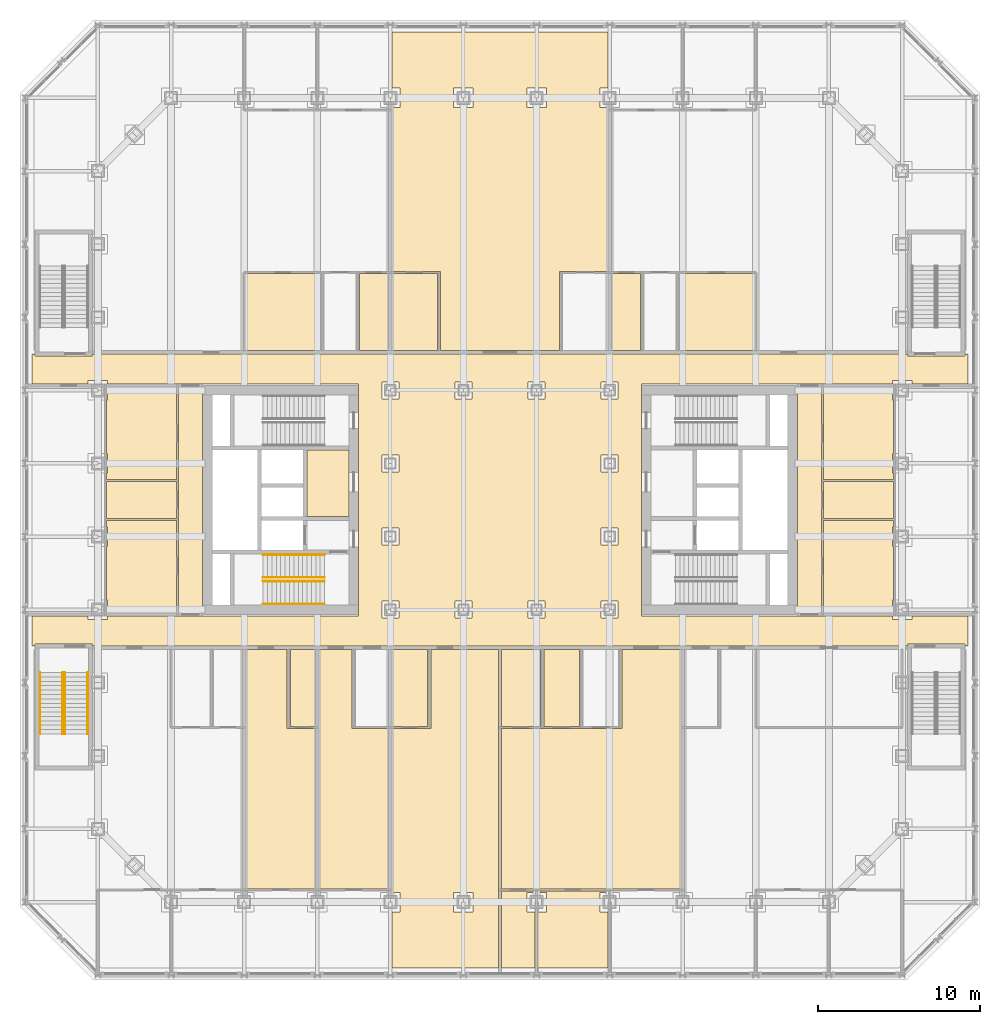
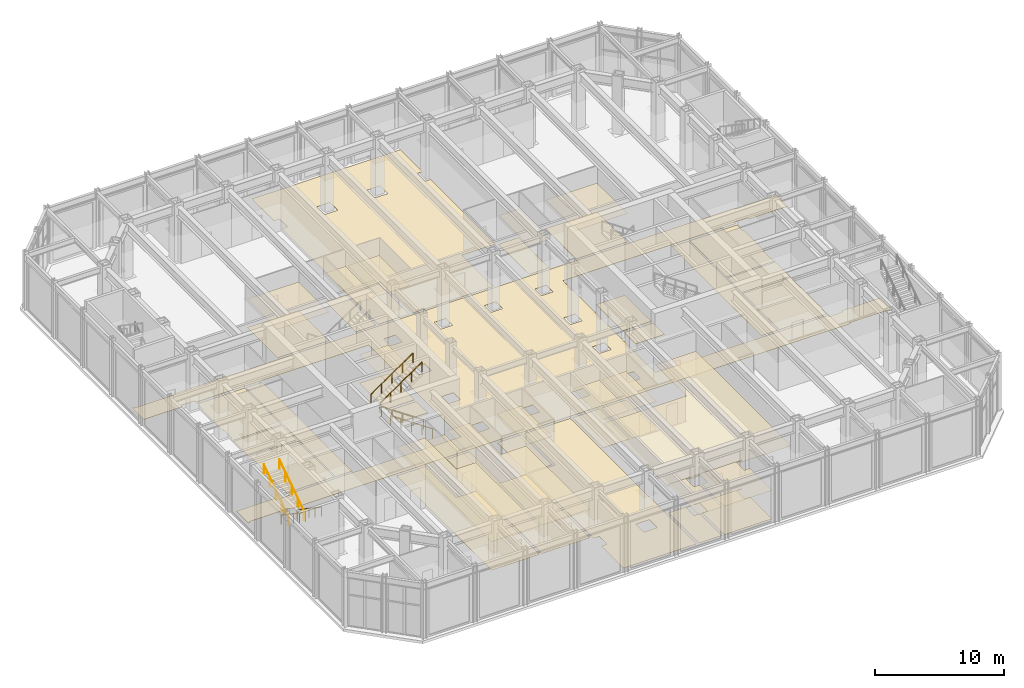
# One storey, part 17 of 19: 8 railings, 5 coverings.
"""IFC4 building model written with IfcOpenShell, lengths in metres."""

from ifc_helpers import new_model, si_unit, direction, frame, origin, origin_2d, place, context, subcontext, project, spatial, line, indexed_curve, circle, outline, extrude, material, layer, layer_set, type_object, element, save


model = new_model("IFC4")

# Units and contexts
model_context = context("Model", 3, precision=1e-05, world=origin(), true_north=direction((0.0, 1.0)))
body_context = subcontext(model_context, "Body", "Model", "MODEL_VIEW")
ifc_project = project(units=[si_unit("LENGTHUNIT", "METRE"), si_unit("AREAUNIT", "SQUARE_METRE"), si_unit("VOLUMEUNIT", "CUBIC_METRE"), si_unit("PLANEANGLEUNIT", "RADIAN"), si_unit("MASSUNIT", "GRAM", prefix="KILO")], contexts=[model_context])

# Site, building, storey
site_placement = place(None, origin())
site = spatial("IfcSite", under=ifc_project, at=site_placement, CompositionType="ELEMENT")
building_placement = place(site_placement, origin())
building = spatial("IfcBuilding", under=site, at=building_placement, Name="Msasa Ring Tower", CompositionType="ELEMENT")
storey_placement = place(building_placement, frame((0.0, 0.0, 16.0)))
storey = spatial("IfcBuildingStorey", under=building, at=storey_placement, Name="L03", CompositionType="ELEMENT", Elevation=16.0)

# Coverings
ifc_material_1 = material(Name="Gypsum plasterboard on a steel suspension grid", Category="steel")
ifc_layer_1 = layer(ifc_material_1, 0.014892578125)
ifc_layer_set_1 = layer_set([ifc_layer_1], Name="C1 SUSPENDED PLASTERBOARD CEILING 15")
covering_type_1 = type_object("IfcCoveringType", Name="C1 SUSPENDED PLASTERBOARD CEILING 15", PredefinedType="CEILING", material=ifc_layer_set_1)
covering_1_placement = place(storey_placement, frame((0.0, 0.0, 2.699951171875)))
element("IfcCovering", 1, at=covering_1_placement, inside=storey, type_object=covering_type_1, Name="Suspended Plasterboard Ceiling 15 L03", PredefinedType="CEILING", context=body_context, shape_type="SweptSolid", body=[
    extrude(outline(indexed_curve([(-15.6494140625, -9.200439453125), (-13.1005859375, -9.200439453125), (-13.1005859375, -14.060546875), (-11.3505859375, -14.060546875), (-11.3505859375, -23.939453125), (-15.6494140625, -23.939453125)], segments=[line(1, 2, 3, 4, 5, 6, 1)], self_intersect=False)), origin(), (0.0, 0.0, 1.0), 0.01513671875),
    extrude(outline(indexed_curve([(-15.6494140625, 13.939453125), (-11.050537109375, 13.939453125), (-11.050537109375, 9.200439453125), (-15.6494140625, 9.200439453125)], segments=[line(1, 2, 3, 4, 1)], self_intersect=False)), origin(), (0.0, 0.0, 1.0), 0.01513671875),
    extrude(outline(indexed_curve([(-11.87451171875, -1.0244140625), (-11.87451171875, 3.074462890625), (-9.300537109375, 3.074462890625), (-9.300537109375, -1.0244140625)], segments=[line(1, 2, 3, 4, 1)], self_intersect=False)), origin(), (0.0, 0.0, 1.0), 0.01513671875),
    extrude(outline(indexed_curve([(-9.1005859375, -9.200439453125), (-9.1005859375, -14.060546875), (-6.8505859375, -14.060546875), (-6.8505859375, -23.939453125), (-11.1494140625, -23.939453125), (-11.1494140625, -9.200439453125)], segments=[line(1, 2, 3, 4, 5, 6, 1)], self_intersect=False)), origin(), (0.0, 0.0, 1.0), 0.01513671875),
    extrude(outline(indexed_curve([(-8.6494140625, 13.939453125), (-6.8505859375, 13.939453125), (-6.8505859375, 9.200439453125), (-8.6494140625, 9.200439453125)], segments=[line(1, 2, 3, 4, 1)], self_intersect=False)), origin(), (0.0, 0.0, 1.0), 0.01513671875),
    extrude(outline(indexed_curve([(-4.450439453125, -9.200439453125), (-4.450439453125, -13.939453125), (-6.6494140625, -13.939453125), (-6.6494140625, -9.200439453125)], segments=[line(1, 2, 3, 4, 1)], self_intersect=False)), origin(), (0.0, 0.0, 1.0), 0.01513671875),
    extrude(outline(indexed_curve([(-6.6494140625, 9.200439453125), (-6.6494140625, 13.939453125), (-3.8505859375, 13.939453125), (-3.8505859375, 9.200439453125)], segments=[line(1, 2, 3, 4, 1)], self_intersect=False)), origin(), (0.0, 0.0, 1.0), 0.01513671875),
    extrude(outline(indexed_curve([(2.1494140625, -24.060546875), (2.1494140625, -24.1494140625), (1.6494140625, -24.1494140625), (1.6494140625, -25.3505859375), (2.1494140625, -25.3505859375), (2.1494140625, -28.799560546875), (0.1005859375, -28.799560546875), (0.1005859375, -24.060546875)], segments=[line(1, 2, 3, 4, 5, 6, 7, 8, 1)], self_intersect=False)), origin(), (0.0, 0.0, 1.0), 0.01513671875),
    extrude(outline(indexed_curve([(0.1005859375, -9.200439453125), (2.49951171875, -9.200439453125), (2.49951171875, -13.939453125), (0.1005859375, -13.939453125)], segments=[line(1, 2, 3, 4, 1)], self_intersect=False)), origin(), (0.0, 0.0, 1.0), 0.01513671875),
    extrude(outline(indexed_curve([(6.6494140625, -24.060546875), (6.6494140625, -24.1494140625), (6.1494140625, -24.1494140625), (6.1494140625, -25.3505859375), (6.6494140625, -25.3505859375), (6.6494140625, -28.799560546875), (2.3505859375, -28.799560546875), (2.3505859375, -25.3505859375), (2.8505859375, -25.3505859375), (2.8505859375, -24.1494140625), (2.3505859375, -24.1494140625), (2.3505859375, -24.060546875)], segments=[line(1, 2, 3, 4, 5, 6, 7, 8, 9, 10, 11, 12, 1)], self_intersect=False)), origin(), (0.0, 0.0, 1.0), 0.01513671875),
    extrude(outline(indexed_curve([(2.700439453125, -9.200439453125), (4.8994140625, -9.200439453125), (4.8994140625, -13.939453125), (2.700439453125, -13.939453125)], segments=[line(1, 2, 3, 4, 1)], self_intersect=False)), origin(), (0.0, 0.0, 1.0), 0.01513671875),
    extrude(outline(indexed_curve([(8.6494140625, 13.939453125), (8.6494140625, 9.200439453125), (6.8505859375, 9.200439453125), (6.8505859375, 13.939453125)], segments=[line(1, 2, 3, 4, 1)], self_intersect=False)), origin(), (0.0, 0.0, 1.0), 0.01513671875),
    extrude(outline(indexed_curve([(11.050537109375, 13.939453125), (15.6494140625, 13.939453125), (15.6494140625, 9.200439453125), (11.050537109375, 9.200439453125)], segments=[line(1, 2, 3, 4, 1)], self_intersect=False)), origin(), (0.0, 0.0, 1.0), 0.01513671875),
])
ifc_material_2 = material(Name="Perforated aluminium ceiling pans on a steel grid", Category="steel")
ifc_layer_2 = layer(ifc_material_2, 0.02490234375)
ifc_layer_set_2 = layer_set([ifc_layer_2], Name="C4 PERFORATED METAL PAN CEILING 25")
covering_type_2 = type_object("IfcCoveringType", Name="C4 PERFORATED METAL PAN CEILING 25", PredefinedType="CEILING", material=ifc_layer_set_2)
covering_2_placement = place(storey_placement, frame((0.0, 0.0, 2.39990234375)))
element("IfcCovering", 2, at=covering_2_placement, inside=storey, type_object=covering_type_2, Name="Perforated Metal Pan Ceiling 25 L03", PredefinedType="CEILING", context=body_context, shape_type="SweptSolid", body=[
    extrude(outline(indexed_curve([(-11.3505859375, -9.200439453125), (-11.3505859375, -13.939453125), (-12.8994140625, -13.939453125), (-12.8994140625, -9.200439453125)], segments=[line(1, 2, 3, 4, 1)], self_intersect=False)), origin(), (0.0, 0.0, 1.0), 0.025146484375),
    extrude(outline(indexed_curve([(0.1005859375, -14.060546875), (7.50048828125, -14.060546875), (7.50048828125, -9.200439453125), (11.1494140625, -9.200439453125), (11.1494140625, -23.939453125), (0.1005859375, -23.939453125)], segments=[line(1, 2, 3, 4, 5, 6, 1)], self_intersect=False)), origin(), (0.0, 0.0, 1.0), 0.025146484375),
])
ifc_material_3 = material(Name="Honed granite tiles on a mortar bed", Category="masonry")
ifc_layer_3 = layer(ifc_material_3, 0.030029296875)
ifc_layer_set_3 = layer_set([ifc_layer_3], Name="F1 HONED GRANITE ON BEDDING 30")
covering_type_3 = type_object("IfcCoveringType", Name="F1 HONED GRANITE ON BEDDING 30", PredefinedType="FLOORING", material=ifc_layer_set_3)
covering_3_placement = place(storey_placement, origin())
element("IfcCovering", 3, at=covering_3_placement, inside=storey, type_object=covering_type_3, Name="Honed Granite On Bedding 30 L03", PredefinedType="FLOORING", context=body_context, shape_type="SweptSolid", body=[
    extrude(outline(indexed_curve([(-8.699462890625, 7.150390625), (-24.1494140625, 7.150390625), (-24.1494140625, 7.3505859375), (-25.3505859375, 7.3505859375), (-25.3505859375, 7.150390625), (-28.799560546875, 7.150390625), (-28.799560546875, 8.99951171875), (-28.625, 8.99951171875), (-28.625, 8.87451171875), (-25.074951171875, 8.87451171875), (-25.074951171875, 8.99951171875), (25.074951171875, 8.99951171875), (25.074951171875, 8.87451171875), (28.625, 8.87451171875), (28.625, 8.99951171875), (28.799560546875, 8.99951171875), (28.799560546875, 7.150390625), (25.3505859375, 7.150390625), (25.3505859375, 7.3505859375), (24.1494140625, 7.3505859375), (24.1494140625, 7.150390625), (8.699462890625, 7.150390625), (8.699462890625, -7.150390625), (24.1494140625, -7.150390625), (24.1494140625, -7.3505859375), (25.3505859375, -7.3505859375), (25.3505859375, -7.150390625), (28.799560546875, -7.150390625), (28.799560546875, -8.99951171875), (28.625, -8.99951171875), (28.625, -8.87451171875), (25.074951171875, -8.87451171875), (25.074951171875, -8.99951171875), (-25.074951171875, -8.99951171875), (-25.074951171875, -8.87451171875), (-28.625, -8.87451171875), (-28.625, -8.99951171875), (-28.799560546875, -8.99951171875), (-28.799560546875, -7.150390625), (-25.3505859375, -7.150390625), (-25.3505859375, -7.3505859375), (-24.1494140625, -7.3505859375), (-24.1494140625, -7.150390625), (-8.699462890625, -7.150390625)], segments=[line(1, 2, 3, 4, 5, 6, 7, 8, 9, 10, 11, 12, 13, 14, 15, 16, 17, 18, 19, 20, 21, 22, 23, 24, 25, 26, 27, 28, 29, 30, 31, 32, 33, 34, 35, 36, 37, 38, 39, 40, 41, 42, 43, 44, 1)], self_intersect=False), holes=[indexed_curve([(-6.224609375, -7.275390625), (-6.224609375, -6.224609375), (-7.275390625, -6.224609375), (-7.275390625, -7.275390625)], segments=[line(1, 2, 3, 4, 1)], self_intersect=False), indexed_curve([(-1.724609375, -7.275390625), (-1.724609375, -6.224609375), (-2.775390625, -6.224609375), (-2.775390625, -7.275390625)], segments=[line(1, 2, 3, 4, 1)], self_intersect=False), indexed_curve([(-6.224609375, -2.775390625), (-6.224609375, -1.724609375), (-7.275390625, -1.724609375), (-7.275390625, -2.775390625)], segments=[line(1, 2, 3, 4, 1)], self_intersect=False), indexed_curve([(-6.224609375, 1.724609375), (-6.224609375, 2.775390625), (-7.275390625, 2.775390625), (-7.275390625, 1.724609375)], segments=[line(1, 2, 3, 4, 1)], self_intersect=False), indexed_curve([(-6.224609375, 6.224609375), (-6.224609375, 7.275390625), (-7.275390625, 7.275390625), (-7.275390625, 6.224609375)], segments=[line(1, 2, 3, 4, 1)], self_intersect=False), indexed_curve([(-1.724609375, 6.224609375), (-1.724609375, 7.275390625), (-2.775390625, 7.275390625), (-2.775390625, 6.224609375)], segments=[line(1, 2, 3, 4, 1)], self_intersect=False), indexed_curve([(2.775390625, -7.275390625), (2.775390625, -6.224609375), (1.724609375, -6.224609375), (1.724609375, -7.275390625)], segments=[line(1, 2, 3, 4, 1)], self_intersect=False), indexed_curve([(7.275390625, -7.275390625), (7.275390625, -6.224609375), (6.224609375, -6.224609375), (6.224609375, -7.275390625)], segments=[line(1, 2, 3, 4, 1)], self_intersect=False), indexed_curve([(7.275390625, -2.775390625), (7.275390625, -1.724609375), (6.224609375, -1.724609375), (6.224609375, -2.775390625)], segments=[line(1, 2, 3, 4, 1)], self_intersect=False), indexed_curve([(7.275390625, 1.724609375), (7.275390625, 2.775390625), (6.224609375, 2.775390625), (6.224609375, 1.724609375)], segments=[line(1, 2, 3, 4, 1)], self_intersect=False), indexed_curve([(2.775390625, 6.224609375), (2.775390625, 7.275390625), (1.724609375, 7.275390625), (1.724609375, 6.224609375)], segments=[line(1, 2, 3, 4, 1)], self_intersect=False), indexed_curve([(7.275390625, 6.224609375), (7.275390625, 7.275390625), (6.224609375, 7.275390625), (6.224609375, 6.224609375)], segments=[line(1, 2, 3, 4, 1)], self_intersect=False)]), origin(), (0.0, 0.0, 1.0), 0.030029296875),
    extrude(outline(indexed_curve([(-11.87451171875, -3.074462890625), (-11.87451171875, -1.275390625), (-9.300537109375, -1.275390625), (-9.300537109375, -3.074462890625)], segments=[line(1, 2, 3, 4, 1)], self_intersect=False)), origin(), (0.0, 0.0, 1.0), 0.030029296875),
    extrude(outline(indexed_curve([(9.300537109375, -3.074462890625), (9.300537109375, -1.275390625), (11.87451171875, -1.275390625), (11.87451171875, -3.074462890625)], segments=[line(1, 2, 3, 4, 1)], self_intersect=False)), origin(), (0.0, 0.0, 1.0), 0.030029296875),
    extrude(outline(indexed_curve([(9.300537109375, -1.0244140625), (9.300537109375, 3.074462890625), (11.87451171875, 3.074462890625), (11.87451171875, -1.0244140625)], segments=[line(1, 2, 3, 4, 1)], self_intersect=False)), origin(), (0.0, 0.0, 1.0), 0.030029296875),
])
ifc_material_4 = material(Name="Wool-blend carpet on felt underlay", Category="textile")
ifc_layer_4 = layer(ifc_material_4, 0.011962890625)
ifc_layer_set_4 = layer_set([ifc_layer_4], Name="F2 CARPET ON UNDERLAY 12")
covering_type_4 = type_object("IfcCoveringType", Name="F2 CARPET ON UNDERLAY 12", PredefinedType="FLOORING", material=ifc_layer_set_4)
covering_4_placement = place(storey_placement, origin())
element("IfcCovering", 4, at=covering_4_placement, inside=storey, type_object=covering_type_4, Name="Carpet On Underlay 12 L03", PredefinedType="FLOORING", context=body_context, shape_type="SweptSolid", body=[
    extrude(outline(indexed_curve([(-13.1005859375, -14.060546875), (-11.3505859375, -14.060546875), (-11.3505859375, -23.939453125), (-15.6494140625, -23.939453125), (-15.6494140625, -9.200439453125), (-13.1005859375, -9.200439453125)], segments=[line(1, 2, 3, 4, 5, 6, 1)], self_intersect=False)), origin(), (0.0, 0.0, 1.0), 0.011962890625),
    extrude(outline(indexed_curve([(-11.050537109375, 13.939453125), (-11.050537109375, 9.200439453125), (-15.6494140625, 9.200439453125), (-15.6494140625, 13.939453125)], segments=[line(1, 2, 3, 4, 1)], self_intersect=False)), origin(), (0.0, 0.0, 1.0), 0.011962890625),
    extrude(outline(indexed_curve([(-9.300537109375, 3.074462890625), (-9.300537109375, -1.0244140625), (-11.87451171875, -1.0244140625), (-11.87451171875, 3.074462890625)], segments=[line(1, 2, 3, 4, 1)], self_intersect=False)), origin(), (0.0, 0.0, 1.0), 0.011962890625),
    extrude(outline(indexed_curve([(-9.1005859375, -14.060546875), (-6.8505859375, -14.060546875), (-6.8505859375, -23.939453125), (-11.1494140625, -23.939453125), (-11.1494140625, -9.200439453125), (-9.1005859375, -9.200439453125)], segments=[line(1, 2, 3, 4, 5, 6, 1)], self_intersect=False)), origin(), (0.0, 0.0, 1.0), 0.011962890625),
    extrude(outline(indexed_curve([(-6.8505859375, 13.939453125), (-6.8505859375, 9.200439453125), (-8.6494140625, 9.200439453125), (-8.6494140625, 13.939453125)], segments=[line(1, 2, 3, 4, 1)], self_intersect=False)), origin(), (0.0, 0.0, 1.0), 0.011962890625),
    extrude(outline(indexed_curve([(-4.24951171875, -14.060546875), (-4.24951171875, -9.200439453125), (-0.1005859375, -9.200439453125), (-0.1005859375, -28.799560546875), (-6.6494140625, -28.799560546875), (-6.6494140625, -25.3505859375), (-6.1494140625, -25.3505859375), (-6.1494140625, -24.1494140625), (-6.6494140625, -24.1494140625), (-6.6494140625, -14.060546875)], segments=[line(1, 2, 3, 4, 5, 6, 7, 8, 9, 10, 1)], self_intersect=False), holes=[indexed_curve([(-1.6494140625, -24.1494140625), (-2.8505859375, -24.1494140625), (-2.8505859375, -25.3505859375), (-1.6494140625, -25.3505859375)], segments=[line(1, 2, 3, 4, 1)], self_intersect=False)]), origin(), (0.0, 0.0, 1.0), 0.011962890625),
    extrude(outline(indexed_curve([(-4.450439453125, -9.200439453125), (-4.450439453125, -13.939453125), (-6.6494140625, -13.939453125), (-6.6494140625, -9.200439453125)], segments=[line(1, 2, 3, 4, 1)], self_intersect=False)), origin(), (0.0, 0.0, 1.0), 0.011962890625),
    extrude(outline(indexed_curve([(6.6494140625, 28.799560546875), (6.6494140625, 25.3505859375), (6.1494140625, 25.3505859375), (6.1494140625, 24.1494140625), (6.6494140625, 24.1494140625), (6.6494140625, 14.060546875), (3.6494140625, 14.060546875), (3.6494140625, 9.200439453125), (-3.6494140625, 9.200439453125), (-3.6494140625, 14.060546875), (-6.6494140625, 14.060546875), (-6.6494140625, 24.1494140625), (-6.1494140625, 24.1494140625), (-6.1494140625, 25.3505859375), (-6.6494140625, 25.3505859375), (-6.6494140625, 28.799560546875)], segments=[line(1, 2, 3, 4, 5, 6, 7, 8, 9, 10, 11, 12, 13, 14, 15, 16, 1)], self_intersect=False), holes=[indexed_curve([(-1.6494140625, 25.3505859375), (-2.8505859375, 25.3505859375), (-2.8505859375, 24.1494140625), (-1.6494140625, 24.1494140625)], segments=[line(1, 2, 3, 4, 1)], self_intersect=False), indexed_curve([(2.8505859375, 24.1494140625), (2.8505859375, 25.3505859375), (1.6494140625, 25.3505859375), (1.6494140625, 24.1494140625)], segments=[line(1, 2, 3, 4, 1)], self_intersect=False)]), origin(), (0.0, 0.0, 1.0), 0.011962890625),
    extrude(outline(indexed_curve([(-3.8505859375, 13.939453125), (-3.8505859375, 9.200439453125), (-6.6494140625, 9.200439453125), (-6.6494140625, 13.939453125)], segments=[line(1, 2, 3, 4, 1)], self_intersect=False)), origin(), (0.0, 0.0, 1.0), 0.011962890625),
    extrude(outline(indexed_curve([(2.1494140625, -24.1494140625), (1.6494140625, -24.1494140625), (1.6494140625, -25.3505859375), (2.1494140625, -25.3505859375), (2.1494140625, -28.799560546875), (0.1005859375, -28.799560546875), (0.1005859375, -24.060546875), (2.1494140625, -24.060546875)], segments=[line(1, 2, 3, 4, 5, 6, 7, 8, 1)], self_intersect=False)), origin(), (0.0, 0.0, 1.0), 0.011962890625),
    extrude(outline(indexed_curve([(2.49951171875, -9.200439453125), (2.49951171875, -13.939453125), (0.1005859375, -13.939453125), (0.1005859375, -9.200439453125)], segments=[line(1, 2, 3, 4, 1)], self_intersect=False)), origin(), (0.0, 0.0, 1.0), 0.011962890625),
    extrude(outline(indexed_curve([(6.6494140625, -24.1494140625), (6.1494140625, -24.1494140625), (6.1494140625, -25.3505859375), (6.6494140625, -25.3505859375), (6.6494140625, -28.799560546875), (2.3505859375, -28.799560546875), (2.3505859375, -25.3505859375), (2.8505859375, -25.3505859375), (2.8505859375, -24.1494140625), (2.3505859375, -24.1494140625), (2.3505859375, -24.060546875), (6.6494140625, -24.060546875)], segments=[line(1, 2, 3, 4, 5, 6, 7, 8, 9, 10, 11, 12, 1)], self_intersect=False)), origin(), (0.0, 0.0, 1.0), 0.011962890625),
    extrude(outline(indexed_curve([(4.8994140625, -9.200439453125), (4.8994140625, -13.939453125), (2.700439453125, -13.939453125), (2.700439453125, -9.200439453125)], segments=[line(1, 2, 3, 4, 1)], self_intersect=False)), origin(), (0.0, 0.0, 1.0), 0.011962890625),
    extrude(outline(indexed_curve([(8.6494140625, 13.939453125), (8.6494140625, 9.200439453125), (6.8505859375, 9.200439453125), (6.8505859375, 13.939453125)], segments=[line(1, 2, 3, 4, 1)], self_intersect=False)), origin(), (0.0, 0.0, 1.0), 0.011962890625),
    extrude(outline(indexed_curve([(15.6494140625, 13.939453125), (15.6494140625, 9.200439453125), (11.050537109375, 9.200439453125), (11.050537109375, 13.939453125)], segments=[line(1, 2, 3, 4, 1)], self_intersect=False)), origin(), (0.0, 0.0, 1.0), 0.011962890625),
])
ifc_material_5 = material(Name="Porcelain floor tiles in adhesive", Category="ceramic")
ifc_layer_5 = layer(ifc_material_5, 0.010009765625)
ifc_layer_set_5 = layer_set([ifc_layer_5], Name="F4 PORCELAIN TILE ON ADHESIVE 10")
covering_type_5 = type_object("IfcCoveringType", Name="F4 PORCELAIN TILE ON ADHESIVE 10", PredefinedType="FLOORING", material=ifc_layer_set_5)
covering_5_placement = place(storey_placement, origin())
element("IfcCovering", 5, at=covering_5_placement, inside=storey, type_object=covering_type_5, Name="Porcelain Tile On Adhesive 10 L03", PredefinedType="FLOORING", context=body_context, shape_type="SweptSolid", body=[
    extrude(outline(indexed_curve([(-24.239501953125, -2.8505859375), (-24.1494140625, -2.8505859375), (-24.1494140625, -1.6494140625), (-24.239501953125, -1.6494140625), (-24.239501953125, -1.255615234375), (-19.905517578125, -1.255615234375), (-19.905517578125, -6.949462890625), (-24.1494140625, -6.949462890625), (-24.1494140625, -6.1494140625), (-24.239501953125, -6.1494140625)], segments=[line(1, 2, 3, 4, 5, 6, 7, 8, 9, 10, 1)], self_intersect=False)), origin(), (0.0, 0.0, 1.0), 0.010009765625),
    extrude(outline(indexed_curve([(-24.239501953125, 1.14453125), (-19.905517578125, 1.14453125), (-19.905517578125, -1.14453125), (-24.239501953125, -1.14453125)], segments=[line(1, 2, 3, 4, 1)], self_intersect=False)), origin(), (0.0, 0.0, 1.0), 0.010009765625),
    extrude(outline(indexed_curve([(-24.239501953125, 1.6494140625), (-24.1494140625, 1.6494140625), (-24.1494140625, 2.8505859375), (-24.239501953125, 2.8505859375), (-24.239501953125, 6.1494140625), (-24.1494140625, 6.1494140625), (-24.1494140625, 6.949462890625), (-19.905517578125, 6.949462890625), (-19.905517578125, 1.255615234375), (-24.239501953125, 1.255615234375)], segments=[line(1, 2, 3, 4, 5, 6, 7, 8, 9, 10, 1)], self_intersect=False)), origin(), (0.0, 0.0, 1.0), 0.010009765625),
    extrude(outline(indexed_curve([(-19.79443359375, 6.949462890625), (-18.300537109375, 6.949462890625), (-18.300537109375, -6.949462890625), (-19.79443359375, -6.949462890625)], segments=[line(1, 2, 3, 4, 1)], self_intersect=False)), origin(), (0.0, 0.0, 1.0), 0.010009765625),
    extrude(outline(indexed_curve([(18.300537109375, -6.949462890625), (18.300537109375, 6.949462890625), (19.79443359375, 6.949462890625), (19.79443359375, -6.949462890625)], segments=[line(1, 2, 3, 4, 1)], self_intersect=False)), origin(), (0.0, 0.0, 1.0), 0.010009765625),
    extrude(outline(indexed_curve([(19.905517578125, -1.255615234375), (24.239501953125, -1.255615234375), (24.239501953125, -1.6494140625), (24.1494140625, -1.6494140625), (24.1494140625, -2.8505859375), (24.239501953125, -2.8505859375), (24.239501953125, -6.1494140625), (24.1494140625, -6.1494140625), (24.1494140625, -6.949462890625), (19.905517578125, -6.949462890625)], segments=[line(1, 2, 3, 4, 5, 6, 7, 8, 9, 10, 1)], self_intersect=False)), origin(), (0.0, 0.0, 1.0), 0.010009765625),
    extrude(outline(indexed_curve([(19.905517578125, 1.14453125), (24.239501953125, 1.14453125), (24.239501953125, -1.14453125), (19.905517578125, -1.14453125)], segments=[line(1, 2, 3, 4, 1)], self_intersect=False)), origin(), (0.0, 0.0, 1.0), 0.010009765625),
    extrude(outline(indexed_curve([(19.905517578125, 6.949462890625), (24.1494140625, 6.949462890625), (24.1494140625, 6.1494140625), (24.239501953125, 6.1494140625), (24.239501953125, 2.8505859375), (24.1494140625, 2.8505859375), (24.1494140625, 1.6494140625), (24.239501953125, 1.6494140625), (24.239501953125, 1.255615234375), (19.905517578125, 1.255615234375)], segments=[line(1, 2, 3, 4, 5, 6, 7, 8, 9, 10, 1)], self_intersect=False)), origin(), (0.0, 0.0, 1.0), 0.010009765625),
])

# Railings
ifc_material_6 = material(Name="Stainless steel", Category="steel")
railing_type = type_object("IfcRailingType", Name="HR1 HANDRAIL 900", PredefinedType="HANDRAIL", material=ifc_material_6)
for number, where, name in (
    (6, (-10.800048828125, -6.39990234375, 0.183349609375), "Handrail stair SWA L03 1"),
    (7, (-10.800048828125, -5.0, 0.183349609375), "Handrail stair SWA L03 2"),
):
    element("IfcRailing", number, at=place(storey_placement, frame(where)), inside=storey, type_object=railing_type, Name=name, PredefinedType="HANDRAIL", context=body_context, shape_type="SweptSolid", body=[
        extrude(circle(Radius=0.02392578125, at=origin_2d()), frame((0.0, 0.0, 0.8759765625), z_axis=(-0.827309931321, 0.0, 0.561745741005), x_axis=(0.0, -1.0, 0.0)), (0.0, 0.0, 1.0), 4.569091796875),
        extrude(circle(Radius=0.02099609375, at=origin_2d()), origin(), (0.0, 0.0, 1.0), 0.851806640625),
        extrude(circle(Radius=0.02099609375, at=origin_2d()), frame((-0.945068359375, 0.0, 0.6416015625)), (0.0, 0.0, 1.0), 0.851806640625),
        extrude(circle(Radius=0.02099609375, at=origin_2d()), frame((-1.89013671875, 0.0, 1.283203125)), (0.0, 0.0, 1.0), 0.851806640625),
        extrude(circle(Radius=0.02099609375, at=origin_2d()), frame((-2.8349609375, 0.0, 1.925048828125)), (0.0, 0.0, 1.0), 0.851806640625),
        extrude(circle(Radius=0.02099609375, at=origin_2d()), frame((-3.780029296875, 0.0, 2.566650390625)), (0.0, 0.0, 1.0), 0.851806640625),
    ])
for number, where, name in (
    (8, (-14.580078125, -4.77490234375, 2.933349609375), "Handrail stair SWA L03 3"),
    (9, (-14.580078125, -3.375, 2.933349609375), "Handrail stair SWA L03 4"),
):
    element("IfcRailing", number, at=place(storey_placement, frame(where)), inside=storey, type_object=railing_type, Name=name, PredefinedType="HANDRAIL", context=body_context, shape_type="SweptSolid", body=[
        extrude(circle(Radius=0.02392578125, at=origin_2d()), frame((0.0, 0.0, 0.8759765625), z_axis=(0.827309931321, 0.0, 0.561745741005), x_axis=(0.0, 1.0, 0.0)), (0.0, 0.0, 1.0), 4.569091796875),
        extrude(circle(Radius=0.02099609375, at=origin_2d()), origin(), (0.0, 0.0, 1.0), 0.851806640625),
        extrude(circle(Radius=0.02099609375, at=origin_2d()), frame((0.945068359375, 0.0, 0.6416015625)), (0.0, 0.0, 1.0), 0.851806640625),
        extrude(circle(Radius=0.02099609375, at=origin_2d()), frame((1.89013671875, 0.0, 1.283203125)), (0.0, 0.0, 1.0), 0.851806640625),
        extrude(circle(Radius=0.02099609375, at=origin_2d()), frame((2.8349609375, 0.0, 1.925048828125)), (0.0, 0.0, 1.0), 0.851806640625),
        extrude(circle(Radius=0.02099609375, at=origin_2d()), frame((3.780029296875, 0.0, 2.566650390625)), (0.0, 0.0, 1.0), 0.851806640625),
    ])
for number, where, name in (
    (10, (-26.77490234375, -10.625, 0.183349609375), "Handrail podium stair PWS L03 1"),
    (11, (-25.375, -10.625, 0.183349609375), "Handrail podium stair PWS L03 2"),
):
    element("IfcRailing", number, at=place(storey_placement, frame(where)), inside=storey, type_object=railing_type, Name=name, PredefinedType="HANDRAIL", context=body_context, shape_type="SweptSolid", body=[
        extrude(circle(Radius=0.02392578125, at=origin_2d()), frame((0.0, 0.0, 0.8759765625), z_axis=(0.0, -0.827309931321, 0.561745741005), x_axis=(1.0, 0.0, 0.0)), (0.0, 0.0, 1.0), 4.569091796875),
        extrude(circle(Radius=0.02099609375, at=origin_2d()), origin(), (0.0, 0.0, 1.0), 0.851806640625),
        extrude(circle(Radius=0.02099609375, at=origin_2d()), frame((0.0, -0.945068359375, 0.6416015625)), (0.0, 0.0, 1.0), 0.851806640625),
        extrude(circle(Radius=0.02099609375, at=origin_2d()), frame((0.0, -1.89013671875, 1.283203125)), (0.0, 0.0, 1.0), 0.851806640625),
        extrude(circle(Radius=0.02099609375, at=origin_2d()), frame((0.0, -2.8349609375, 1.925048828125)), (0.0, 0.0, 1.0), 0.851806640625),
        extrude(circle(Radius=0.02099609375, at=origin_2d()), frame((0.0, -3.780029296875, 2.566650390625)), (0.0, 0.0, 1.0), 0.851806640625),
    ])
for number, where, name in (
    (12, (-28.324951171875, -14.405029296875, 2.933349609375), "Handrail podium stair PWS L03 3"),
    (13, (-26.925048828125, -14.405029296875, 2.933349609375), "Handrail podium stair PWS L03 4"),
):
    element("IfcRailing", number, at=place(storey_placement, frame(where)), inside=storey, type_object=railing_type, Name=name, PredefinedType="HANDRAIL", context=body_context, shape_type="SweptSolid", body=[
        extrude(circle(Radius=0.02392578125, at=origin_2d()), frame((0.0, 0.0, 0.8759765625), z_axis=(0.0, 0.827309931321, 0.561745741005), x_axis=(-1.0, 0.0, 0.0)), (0.0, 0.0, 1.0), 4.569091796875),
        extrude(circle(Radius=0.02099609375, at=origin_2d()), origin(), (0.0, 0.0, 1.0), 0.851806640625),
        extrude(circle(Radius=0.02099609375, at=origin_2d()), frame((0.0, 0.945068359375, 0.6416015625)), (0.0, 0.0, 1.0), 0.851806640625),
        extrude(circle(Radius=0.02099609375, at=origin_2d()), frame((0.0, 1.89013671875, 1.283203125)), (0.0, 0.0, 1.0), 0.851806640625),
        extrude(circle(Radius=0.02099609375, at=origin_2d()), frame((0.0, 2.8349609375, 1.925048828125)), (0.0, 0.0, 1.0), 0.851806640625),
        extrude(circle(Radius=0.02099609375, at=origin_2d()), frame((0.0, 3.780029296875, 2.566650390625)), (0.0, 0.0, 1.0), 0.851806640625),
    ])

save(model, "model.ifc")
